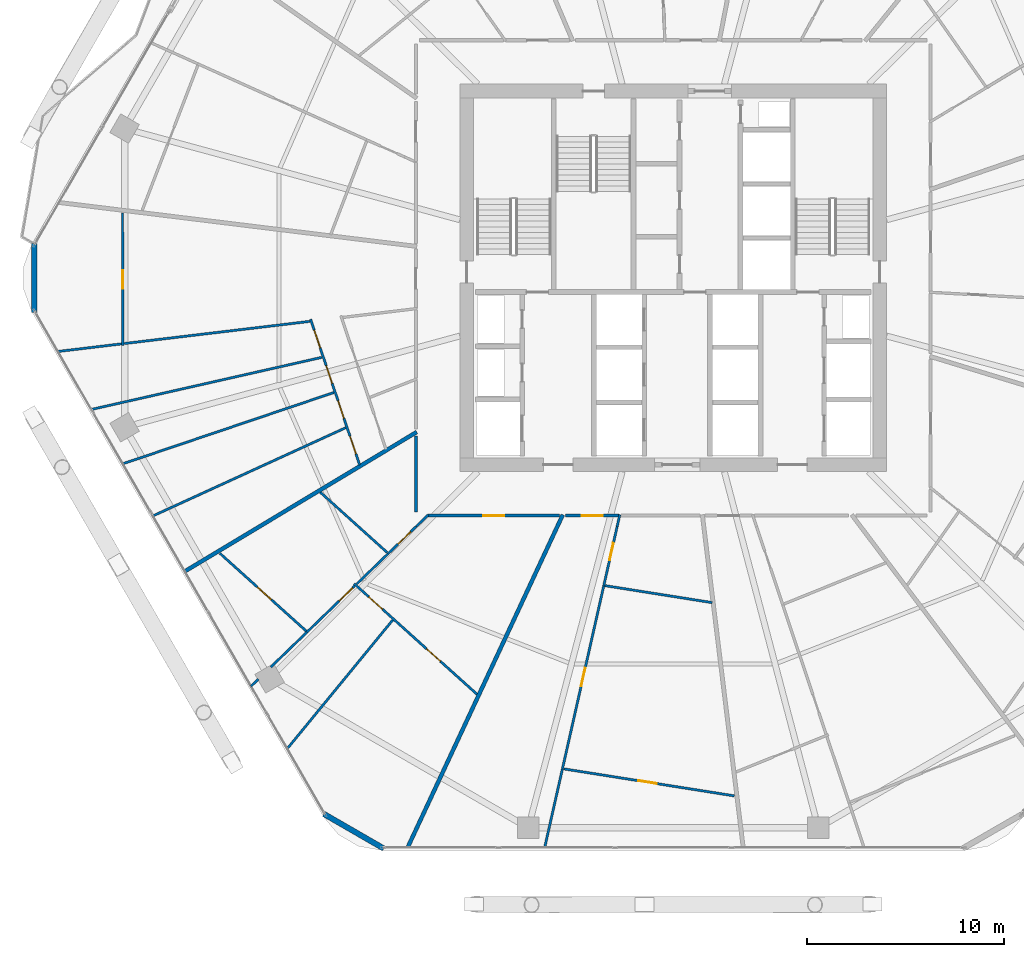
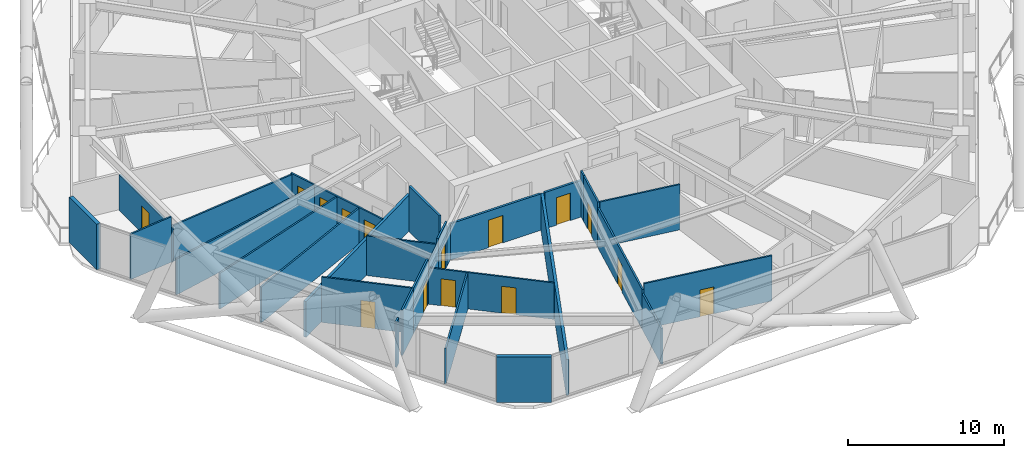
# One storey, part 29 of 36: 30 walls, 15 doors, 15 openings.
"""IFC4 building model written with IfcOpenShell, lengths in metres."""

from ifc_helpers import new_model, si_unit, direction, frame, frame_2d, origin, place, context, subcontext, project, spatial, rectangle, extrude, material, layer, layer_set, type_object, element, fill, save


model = new_model("IFC4")

# Units and contexts
model_context = context("Model", 3, precision=1e-05, world=origin(), true_north=direction((0.0, 1.0)))
body_context = subcontext(model_context, "Body", "Model", "MODEL_VIEW")
ifc_project = project(units=[si_unit("LENGTHUNIT", "METRE"), si_unit("AREAUNIT", "SQUARE_METRE"), si_unit("VOLUMEUNIT", "CUBIC_METRE"), si_unit("PLANEANGLEUNIT", "RADIAN"), si_unit("MASSUNIT", "GRAM", prefix="KILO")], contexts=[model_context])

# Site, building, storey
site_placement = place(None, origin())
site = spatial("IfcSite", under=ifc_project, at=site_placement, CompositionType="ELEMENT")
building_placement = place(site_placement, origin())
building = spatial("IfcBuilding", under=site, at=building_placement, Name="Zuhravey Tower", CompositionType="ELEMENT")
storey_placement = place(building_placement, frame((0.0, 0.0, 107.60009765625)))
storey = spatial("IfcBuildingStorey", under=building, at=storey_placement, Name="L26", CompositionType="ELEMENT", Elevation=107.60009765625)

# Wall, opening, door
ifc_material_1 = material(Name="Gypsum fire-rated stud partition")
ifc_layer_1 = layer(ifc_material_1, 0.159912109375)
ifc_layer_set_1 = layer_set([ifc_layer_1], Name="Gypsum fire-rated stud partition")
wall_type_1 = type_object("IfcWallType", Name="Corridor Fire Partition 160", PredefinedType="PARTITIONING", material=ifc_layer_set_1)
wall_1_placement = place(storey_placement, frame((23.537109375, 19.919921875, 0.0), z_axis=(0.0, 0.0, 1.0), x_axis=(1.0, 0.0, 0.0)))
wall_1 = element("IfcWall", 1, at=wall_1_placement, inside=storey, type_object=wall_type_1, Name="L26 IW16 Partition 052", PredefinedType="PARTITIONING", context=body_context, shape_type="SweptSolid", body=[
    extrude(rectangle(XDim=6.678955078125, YDim=0.159912109375, at=frame_2d((3.33935546875, 0.0))), origin(), (0.0, 0.0, 1.0), 2.849853515625),
])
opening_1_placement = place(wall_1_placement, frame((2.814453125, 0.0, 0.0)))
opening_1 = element("IfcOpeningElement", 2, at=opening_1_placement, cuts=wall_1, Name="Opening APD1", PredefinedType="OPENING", context=body_context, shape_type="SweptSolid", body=[
    extrude(rectangle(XDim=1.050048828125, YDim=2.14990234375, at=frame_2d((0.52490234375, 1.074951171875))), frame((0.0, 0.092041015625, 0.0), z_axis=(0.0, -1.0, 0.0), x_axis=(1.0, 0.0, 0.0)), (0.0, 0.0, 1.0), 0.183837890625),
])
ifc_material_2 = material(Name="Solid-core oak fire-rated leaf")
door_type_1 = type_object("IfcDoorType", Name="Apartment Entrance Fire Door 1050x2150", OperationType="NOTDEFINED", PredefinedType="DOOR", material=ifc_material_2)
door_1_placement = place(opening_1_placement, frame((1.050048828125, 0.0, 0.0), z_axis=(0.0, 0.0, 1.0), x_axis=(-1.0, 0.0, 0.0)))
door_1 = element("IfcDoor", 3, at=door_1_placement, inside=storey, type_object=door_type_1, Name="L26 Door 052.1", OperationType="SINGLE_SWING_RIGHT", OverallHeight=2.14990234375, OverallWidth=1.050048828125, PredefinedType="DOOR", context=body_context, shape_type="SweptSolid", body=[
    extrude(rectangle(XDim=1.050048828125, YDim=2.14990234375, at=frame_2d((0.52490234375, 1.074951171875))), frame((0.0, 0.02490234375, 0.0), z_axis=(0.0, -1.0, 0.0), x_axis=(1.0, 0.0, 0.0)), (0.0, 0.0, 1.0), 0.050048828125),
])
fill(opening_1, door_1)

wall_2_placement = place(storey_placement, frame((30.516845703125, 19.919921875, 0.0), z_axis=(0.0, 0.0, 1.0), x_axis=(1.0, 0.0, 0.0)))
wall_2 = element("IfcWall", 4, at=wall_2_placement, inside=storey, type_object=wall_type_1, Name="L26 IW16 Partition 056", PredefinedType="PARTITIONING", context=body_context, shape_type="SweptSolid", body=[
    extrude(rectangle(XDim=2.73583984375, YDim=0.159912109375, at=frame_2d((1.367919921875, 0.0))), origin(), (0.0, 0.0, 1.0), 2.849853515625),
])
opening_2_placement = place(wall_2_placement, frame((0.843017578125, 0.0, 0.0)))
opening_2 = element("IfcOpeningElement", 5, at=opening_2_placement, cuts=wall_2, Name="Opening APD1", PredefinedType="OPENING", context=body_context, shape_type="SweptSolid", body=[
    extrude(rectangle(XDim=1.050048828125, YDim=2.14990234375, at=frame_2d((0.52490234375, 1.074951171875))), frame((0.0, 0.092041015625, 0.0), z_axis=(0.0, -1.0, 0.0), x_axis=(1.0, 0.0, 0.0)), (0.0, 0.0, 1.0), 0.183837890625),
])
door_2_placement = place(opening_2_placement, frame((1.050048828125, 0.0, 0.0), z_axis=(0.0, 0.0, 1.0), x_axis=(-1.0, 0.0, 0.0)))
door_2 = element("IfcDoor", 6, at=door_2_placement, inside=storey, type_object=door_type_1, Name="L26 Door 056.1", OperationType="SINGLE_SWING_RIGHT", OverallHeight=2.14990234375, OverallWidth=1.050048828125, PredefinedType="DOOR", context=body_context, shape_type="SweptSolid", body=[
    extrude(rectangle(XDim=1.050048828125, YDim=2.14990234375, at=frame_2d((0.52490234375, 1.074951171875))), frame((0.0, 0.02490234375, 0.0), z_axis=(0.0, -1.0, 0.0), x_axis=(1.0, 0.0, 0.0)), (0.0, 0.0, 1.0), 0.050048828125),
])
fill(opening_2, door_2)

# Walls
wall_3_placement = place(storey_placement, frame((22.919921875, 23.961181640625, 0.0), z_axis=(0.0, 0.0, 1.0), x_axis=(0.0, -1.0, 0.0)))
element("IfcWall", 7, at=wall_3_placement, inside=storey, type_object=wall_type_1, Name="L26 IW16 Partition 146", PredefinedType="PARTITIONING", context=body_context, shape_type="SweptSolid", body=[
    extrude(rectangle(XDim=3.861083984375, YDim=0.159912109375, at=frame_2d((1.9306640625, 0.0))), origin(), (0.0, 0.0, 1.0), 3.5498046875),
])
ifc_material_3 = material(Name="Precast concrete C40/50", Category="concrete")
ifc_layer_2 = layer(ifc_material_3, 0.280029296875)
ifc_layer_set_2 = layer_set([ifc_layer_2], Name="Precast concrete C40/50")
wall_type_2 = type_object("IfcWallType", Name="Crown Architectural Wall 280", PredefinedType="SOLIDWALL", material=ifc_layer_set_2)
wall_4_placement = place(storey_placement, frame((21.28271484375, 2.993896484375, 0.0), z_axis=(0.0, 0.0, 1.0), x_axis=(-0.866007452331, 0.500031091541, 0.0)))
element("IfcWall", 8, at=wall_4_placement, inside=storey, type_object=wall_type_2, Name="L26 Rounded Corner Closure Wall EW28-04", PredefinedType="SOLIDWALL", context=body_context, shape_type="SweptSolid", body=[
    extrude(rectangle(XDim=3.514892578125, YDim=0.280029296875, at=frame_2d((1.75732421875, 0.0))), origin(), (0.0, 0.0, 1.0), 3.5498046875),
])
wall_5_placement = place(storey_placement, frame((3.521484375, 30.242431640625, 0.0), z_axis=(0.0, 0.0, 1.0), x_axis=(0.0, 1.0, 0.0)))
element("IfcWall", 9, at=wall_5_placement, inside=storey, type_object=wall_type_2, Name="L26 Rounded Corner Closure Wall EW28-06", PredefinedType="SOLIDWALL", context=body_context, shape_type="SweptSolid", body=[
    extrude(rectangle(XDim=3.51513671875, YDim=0.280029296875, at=frame_2d((1.757568359375, 0.0))), origin(), (0.0, 0.0, 1.0), 3.5498046875),
])
ifc_material_4 = material(Name="Gypsum double-stud party assembly")
ifc_layer_3 = layer(ifc_material_4, 0.199951171875)
ifc_layer_set_3 = layer_set([ifc_layer_3], Name="Gypsum double-stud party assembly")
wall_type_3 = type_object("IfcWallType", Name="Inter-Tenancy Party Wall 200", PredefinedType="PARTITIONING", material=ifc_layer_set_3)
wall_6_placement = place(storey_placement, frame((22.9599609375, 24.164794921875, 0.0), z_axis=(0.0, 0.0, 1.0), x_axis=(-0.857163744899, -0.515043992714, 0.0)))
element("IfcWall", 10, at=wall_6_placement, inside=storey, type_object=wall_type_3, Name="L26 IW20 Partition 113", PredefinedType="PARTITIONING", context=body_context, shape_type="SweptSolid", body=[
    extrude(rectangle(XDim=13.749755859375, YDim=0.199951171875, at=frame_2d((6.875, 0.0))), origin(), (0.0, 0.0, 1.0), 2.7998046875),
])
wall_7_placement = place(storey_placement, frame((30.3857421875, 19.9599609375, 0.0), z_axis=(0.0, 0.0, 1.0), x_axis=(-0.422626983595, -0.906303719918, 0.0)))
element("IfcWall", 11, at=wall_7_placement, inside=storey, type_object=wall_type_3, Name="L26 IW20 Partition 119", PredefinedType="PARTITIONING", context=body_context, shape_type="SweptSolid", body=[
    extrude(rectangle(XDim=18.66748046875, YDim=0.199951171875, at=frame_2d((9.333740234375, 0.0))), origin(), (0.0, 0.0, 1.0), 2.7998046875),
])

# Wall, opening, door
ifc_material_5 = material(Name="Gypsum metal-stud partition")
ifc_layer_4 = layer(ifc_material_5, 0.1201171875)
ifc_layer_set_4 = layer_set([ifc_layer_4], Name="Gypsum metal-stud partition")
wall_type_4 = type_object("IfcWallType", Name="Unit Internal Partition 120", PredefinedType="PARTITIONING", material=ifc_layer_set_4)
wall_8_placement = place(storey_placement, frame((8.003662109375, 35.290283203125, 0.0), z_axis=(0.0, 0.0, 1.0), x_axis=(0.00282658773, -0.999996005193, 0.0)))
wall_8 = element("IfcWall", 12, at=wall_8_placement, inside=storey, type_object=wall_type_4, Name="L26 IW12 Partition 043", PredefinedType="PARTITIONING", context=body_context, shape_type="SweptSolid", body=[
    extrude(rectangle(XDim=6.737060546875, YDim=0.1201171875, at=frame_2d((3.36865234375, 0.0))), origin(), (0.0, 0.0, 1.0), 2.7998046875),
])
opening_3_placement = place(wall_8_placement, frame((2.8935546875, 0.0, 0.0)))
opening_3 = element("IfcOpeningElement", 13, at=opening_3_placement, cuts=wall_8, Name="Opening IND1", PredefinedType="OPENING", context=body_context, shape_type="SweptSolid", body=[
    extrude(rectangle(XDim=0.949951171875, YDim=2.10009765625, at=frame_2d((0.47509765625, 1.050048828125))), frame((0.0, 0.072021484375, 0.0), z_axis=(0.0, -1.0, 0.0), x_axis=(1.0, 0.0, 0.0)), (0.0, 0.0, 1.0), 0.14404296875),
])
ifc_material_6 = material(Name="Painted engineered timber leaf", Category="wood")
door_type_2 = type_object("IfcDoorType", Name="Internal Room & Bedroom Door 950x2100", OperationType="NOTDEFINED", PredefinedType="DOOR", material=ifc_material_6)
door_3_placement = place(opening_3_placement, frame((0.949951171875, 0.0, 0.0), z_axis=(0.0, 0.0, 1.0), x_axis=(-1.0, 0.0, 0.0)))
door_3 = element("IfcDoor", 14, at=door_3_placement, inside=storey, type_object=door_type_2, Name="Apartment L26-06 Family Study Door", OperationType="SINGLE_SWING_LEFT", OverallHeight=2.10009765625, OverallWidth=0.949951171875, PredefinedType="DOOR", context=body_context, shape_type="SweptSolid", body=[
    extrude(rectangle(XDim=0.949951171875, YDim=2.10009765625, at=frame_2d((0.47509765625, 1.050048828125))), frame((0.0, 0.02490234375, 0.0), z_axis=(0.0, -1.0, 0.0), x_axis=(1.0, 0.0, 0.0)), (0.0, 0.0, 1.0), 0.050048828125),
])
fill(opening_3, door_3)

# Wall, openings, doors
wall_9_placement = place(storey_placement, frame((17.560791015625, 29.8955078125, 0.0), z_axis=(0.0, 0.0, 1.0), x_axis=(0.319947688878, -0.947435209596, 0.0)))
wall_9 = element("IfcWall", 15, at=wall_9_placement, inside=storey, type_object=wall_type_4, Name="L26 IW12 Partition 045", PredefinedType="PARTITIONING", context=body_context, shape_type="SweptSolid", body=[
    extrude(rectangle(XDim=7.8115234375, YDim=0.1201171875, at=frame_2d((3.90576171875, 0.0))), origin(), (0.0, 0.0, 1.0), 2.849853515625),
])
opening_4_placement = place(wall_9_placement, frame((0.587158203125, 0.0, 0.0)))
opening_4 = element("IfcOpeningElement", 16, at=opening_4_placement, cuts=wall_9, Name="Opening IND1", PredefinedType="OPENING", context=body_context, shape_type="SweptSolid", body=[
    extrude(rectangle(XDim=0.949951171875, YDim=2.10009765625, at=frame_2d((0.47509765625, 1.050048828125))), frame((0.0, 0.072021484375, 0.0), z_axis=(0.0, -1.0, 0.0), x_axis=(1.0, 0.0, 0.0)), (0.0, 0.0, 1.0), 0.14404296875),
])
opening_5_placement = place(wall_9_placement, frame((2.48974609375, 0.0, 0.0)))
opening_5 = element("IfcOpeningElement", 17, at=opening_5_placement, cuts=wall_9, Name="Opening IND1", PredefinedType="OPENING", context=body_context, shape_type="SweptSolid", body=[
    extrude(rectangle(XDim=0.949951171875, YDim=2.10009765625, at=frame_2d((0.47509765625, 1.050048828125))), frame((0.0, 0.072021484375, 0.0), z_axis=(0.0, -1.0, 0.0), x_axis=(1.0, 0.0, 0.0)), (0.0, 0.0, 1.0), 0.14404296875),
])
opening_6_placement = place(wall_9_placement, frame((4.37158203125, 0.0, 0.0)))
opening_6 = element("IfcOpeningElement", 18, at=opening_6_placement, cuts=wall_9, Name="Opening IND1", PredefinedType="OPENING", context=body_context, shape_type="SweptSolid", body=[
    extrude(rectangle(XDim=0.949951171875, YDim=2.10009765625, at=frame_2d((0.47509765625, 1.050048828125))), frame((0.0, 0.072021484375, 0.0), z_axis=(0.0, -1.0, 0.0), x_axis=(1.0, 0.0, 0.0)), (0.0, 0.0, 1.0), 0.14404296875),
])
opening_7_placement = place(wall_9_placement, frame((6.274169921875, 0.0, 0.0)))
opening_7 = element("IfcOpeningElement", 19, at=opening_7_placement, cuts=wall_9, Name="Opening IND1", PredefinedType="OPENING", context=body_context, shape_type="SweptSolid", body=[
    extrude(rectangle(XDim=0.949951171875, YDim=2.10009765625, at=frame_2d((0.47509765625, 1.050048828125))), frame((0.0, 0.072021484375, 0.0), z_axis=(0.0, -1.0, 0.0), x_axis=(1.0, 0.0, 0.0)), (0.0, 0.0, 1.0), 0.14404296875),
])
door_4_placement = place(opening_4_placement, frame((0.949951171875, 0.0, 0.0), z_axis=(0.0, 0.0, 1.0), x_axis=(-1.0, 0.0, 0.0)))
door_4 = element("IfcDoor", 20, at=door_4_placement, inside=storey, type_object=door_type_2, Name="Apartment L26-06 Bedroom 1 Door", OperationType="SINGLE_SWING_RIGHT", OverallHeight=2.10009765625, OverallWidth=0.949951171875, PredefinedType="DOOR", context=body_context, shape_type="SweptSolid", body=[
    extrude(rectangle(XDim=0.949951171875, YDim=2.10009765625, at=frame_2d((0.47509765625, 1.050048828125))), frame((0.0, 0.02490234375, 0.0), z_axis=(0.0, -1.0, 0.0), x_axis=(1.0, 0.0, 0.0)), (0.0, 0.0, 1.0), 0.050048828125),
])
fill(opening_4, door_4)
door_5_placement = place(opening_5_placement, frame((0.949951171875, 0.0, 0.0), z_axis=(0.0, 0.0, 1.0), x_axis=(-1.0, 0.0, 0.0)))
door_5 = element("IfcDoor", 21, at=door_5_placement, inside=storey, type_object=door_type_2, Name="Apartment L26-06 Bedroom 2 Door", OperationType="SINGLE_SWING_LEFT", OverallHeight=2.10009765625, OverallWidth=0.949951171875, PredefinedType="DOOR", context=body_context, shape_type="SweptSolid", body=[
    extrude(rectangle(XDim=0.949951171875, YDim=2.10009765625, at=frame_2d((0.47509765625, 1.050048828125))), frame((0.0, 0.02490234375, 0.0), z_axis=(0.0, -1.0, 0.0), x_axis=(1.0, 0.0, 0.0)), (0.0, 0.0, 1.0), 0.050048828125),
])
fill(opening_5, door_5)
door_6_placement = place(opening_6_placement, frame((0.949951171875, 0.0, 0.0), z_axis=(0.0, 0.0, 1.0), x_axis=(-1.0, 0.0, 0.0)))
door_6 = element("IfcDoor", 22, at=door_6_placement, inside=storey, type_object=door_type_2, Name="Apartment L26-06 Bedroom 3 Door", OperationType="SINGLE_SWING_RIGHT", OverallHeight=2.10009765625, OverallWidth=0.949951171875, PredefinedType="DOOR", context=body_context, shape_type="SweptSolid", body=[
    extrude(rectangle(XDim=0.949951171875, YDim=2.10009765625, at=frame_2d((0.47509765625, 1.050048828125))), frame((0.0, 0.02490234375, 0.0), z_axis=(0.0, -1.0, 0.0), x_axis=(1.0, 0.0, 0.0)), (0.0, 0.0, 1.0), 0.050048828125),
])
fill(opening_6, door_6)
door_7_placement = place(opening_7_placement, frame((0.949951171875, 0.0, 0.0), z_axis=(0.0, 0.0, 1.0), x_axis=(-1.0, 0.0, 0.0)))
door_7 = element("IfcDoor", 23, at=door_7_placement, inside=storey, type_object=door_type_2, Name="Apartment L26-06 Bedroom 4 Door", OperationType="SINGLE_SWING_LEFT", OverallHeight=2.10009765625, OverallWidth=0.949951171875, PredefinedType="DOOR", context=body_context, shape_type="SweptSolid", body=[
    extrude(rectangle(XDim=0.949951171875, YDim=2.10009765625, at=frame_2d((0.47509765625, 1.050048828125))), frame((0.0, 0.02490234375, 0.0), z_axis=(0.0, -1.0, 0.0), x_axis=(1.0, 0.0, 0.0)), (0.0, 0.0, 1.0), 0.050048828125),
])
fill(opening_7, door_7)

wall_10_placement = place(storey_placement, frame((19.781494140625, 16.455078125, 0.0), z_axis=(0.0, 0.0, 1.0), x_axis=(0.743143681273, -0.669131877125, 0.0)))
wall_10 = element("IfcWall", 24, at=wall_10_placement, inside=storey, type_object=wall_type_4, Name="L26 IW12 Partition 047", PredefinedType="PARTITIONING", context=body_context, shape_type="SweptSolid", body=[
    extrude(rectangle(XDim=8.391845703125, YDim=0.1201171875, at=frame_2d((4.19580078125, 0.0))), origin(), (0.0, 0.0, 1.0), 2.849853515625),
])
opening_8_placement = place(wall_10_placement, frame((0.9892578125, 0.0, 0.0)))
opening_8 = element("IfcOpeningElement", 25, at=opening_8_placement, cuts=wall_10, Name="Opening IND1", PredefinedType="OPENING", context=body_context, shape_type="SweptSolid", body=[
    extrude(rectangle(XDim=0.949951171875, YDim=2.10009765625, at=frame_2d((0.47509765625, 1.050048828125))), frame((0.0, 0.072021484375, 0.0), z_axis=(0.0, -1.0, 0.0), x_axis=(1.0, 0.0, 0.0)), (0.0, 0.0, 1.0), 0.14404296875),
])
opening_9_placement = place(wall_10_placement, frame((4.9453125, 0.0, 0.0)))
opening_9 = element("IfcOpeningElement", 26, at=opening_9_placement, cuts=wall_10, Name="Opening IND1", PredefinedType="OPENING", context=body_context, shape_type="SweptSolid", body=[
    extrude(rectangle(XDim=0.949951171875, YDim=2.10009765625, at=frame_2d((0.47509765625, 1.050048828125))), frame((0.0, 0.072021484375, 0.0), z_axis=(0.0, -1.0, 0.0), x_axis=(1.0, 0.0, 0.0)), (0.0, 0.0, 1.0), 0.14404296875),
])
door_8_placement = place(opening_8_placement, frame((0.949951171875, 0.0, 0.0), z_axis=(0.0, 0.0, 1.0), x_axis=(-1.0, 0.0, 0.0)))
door_8 = element("IfcDoor", 27, at=door_8_placement, inside=storey, type_object=door_type_2, Name="Apartment L26-07 Family Study Door", OperationType="SINGLE_SWING_LEFT", OverallHeight=2.10009765625, OverallWidth=0.949951171875, PredefinedType="DOOR", context=body_context, shape_type="SweptSolid", body=[
    extrude(rectangle(XDim=0.949951171875, YDim=2.10009765625, at=frame_2d((0.47509765625, 1.050048828125))), frame((0.0, 0.02490234375, 0.0), z_axis=(0.0, -1.0, 0.0), x_axis=(1.0, 0.0, 0.0)), (0.0, 0.0, 1.0), 0.050048828125),
])
fill(opening_8, door_8)
door_9_placement = place(opening_9_placement, frame((0.949951171875, 0.0, 0.0), z_axis=(0.0, 0.0, 1.0), x_axis=(-1.0, 0.0, 0.0)))
door_9 = element("IfcDoor", 28, at=door_9_placement, inside=storey, type_object=door_type_2, Name="Apartment L26-07 Dining Room Door", OperationType="SINGLE_SWING_RIGHT", OverallHeight=2.10009765625, OverallWidth=0.949951171875, PredefinedType="DOOR", context=body_context, shape_type="SweptSolid", body=[
    extrude(rectangle(XDim=0.949951171875, YDim=2.10009765625, at=frame_2d((0.47509765625, 1.050048828125))), frame((0.0, 0.02490234375, 0.0), z_axis=(0.0, -1.0, 0.0), x_axis=(1.0, 0.0, 0.0)), (0.0, 0.0, 1.0), 0.050048828125),
])
fill(opening_9, door_9)

# Wall, opening, door
wall_11_placement = place(storey_placement, frame((22.937744140625, 19.368408203125, 0.0), z_axis=(0.0, 0.0, 1.0), x_axis=(-0.718812006411, -0.695204501884, 0.0)))
wall_11 = element("IfcWall", 29, at=wall_11_placement, inside=storey, type_object=wall_type_4, Name="L26 IW12 Partition 048", PredefinedType="PARTITIONING", context=body_context, shape_type="SweptSolid", body=[
    extrude(rectangle(XDim=2.00634765625, YDim=0.1201171875, at=frame_2d((1.003173828125, 0.0))), origin(), (0.0, 0.0, 1.0), 3.5498046875),
])
opening_10_placement = place(wall_11_placement, frame((0.392578125, 0.0, 0.0)))
opening_10 = element("IfcOpeningElement", 30, at=opening_10_placement, cuts=wall_11, Name="Opening WCD1", PredefinedType="OPENING", context=body_context, shape_type="SweptSolid", body=[
    extrude(rectangle(XDim=0.89990234375, YDim=2.10009765625, at=frame_2d((0.449951171875, 1.050048828125))), frame((0.0, 0.072021484375, 0.0), z_axis=(0.0, -1.0, 0.0), x_axis=(1.0, 0.0, 0.0)), (0.0, 0.0, 1.0), 0.14404296875),
])
ifc_material_7 = material(Name="Moisture-resistant timber leaf", Category="wood")
door_type_3 = type_object("IfcDoorType", Name="Bathroom & WC Internal Door 900x2100", OperationType="NOTDEFINED", PredefinedType="DOOR", material=ifc_material_7)
door_10_placement = place(opening_10_placement, frame((0.89990234375, 0.0, 0.0), z_axis=(0.0, 0.0, 1.0), x_axis=(-1.0, 0.0, 0.0)))
door_10 = element("IfcDoor", 31, at=door_10_placement, inside=storey, type_object=door_type_3, Name="Apartment L26-07 Bathroom Door", OperationType="SINGLE_SWING_LEFT", OverallHeight=2.10009765625, OverallWidth=0.89990234375, PredefinedType="DOOR", context=body_context, shape_type="SweptSolid", body=[
    extrude(rectangle(XDim=0.89990234375, YDim=2.10009765625, at=frame_2d((0.449951171875, 1.050048828125))), frame((0.0, 0.02490234375, 0.0), z_axis=(0.0, -1.0, 0.0), x_axis=(1.0, 0.0, 0.0)), (0.0, 0.0, 1.0), 0.050048828125),
])
fill(opening_10, door_10)

# Wall
wall_12_placement = place(storey_placement, frame((21.49560546875, 17.9736328125, 0.0), z_axis=(0.0, 0.0, 1.0), x_axis=(-0.718868898455, -0.695145673103, 0.0)))
element("IfcWall", 32, at=wall_12_placement, inside=storey, type_object=wall_type_4, Name="L26 IW12 Partition 049", PredefinedType="PARTITIONING", context=body_context, shape_type="SweptSolid", body=[
    extrude(rectangle(XDim=2.212646484375, YDim=0.1201171875, at=frame_2d((1.1064453125, 0.0))), origin(), (0.0, 0.0, 1.0), 3.099853515625),
])

# Wall, opening, door
wall_13_placement = place(storey_placement, frame((19.806884765625, 16.3408203125, 0.0), z_axis=(0.0, 0.0, 1.0), x_axis=(-0.718831046799, -0.69518481439, 0.0)))
wall_13 = element("IfcWall", 33, at=wall_13_placement, inside=storey, type_object=wall_type_4, Name="L26 IW12 Partition 050", PredefinedType="PARTITIONING", context=body_context, shape_type="SweptSolid", body=[
    extrude(rectangle(XDim=3.386474609375, YDim=0.1201171875, at=frame_2d((1.693359375, 0.0))), origin(), (0.0, 0.0, 1.0), 3.5498046875),
])
opening_11_placement = place(wall_13_placement, frame((0.139892578125, 0.0, 0.0)))
opening_11 = element("IfcOpeningElement", 34, at=opening_11_placement, cuts=wall_13, Name="Opening IND1", PredefinedType="OPENING", context=body_context, shape_type="SweptSolid", body=[
    extrude(rectangle(XDim=0.949951171875, YDim=2.10009765625, at=frame_2d((0.47509765625, 1.050048828125))), frame((0.0, 0.072021484375, 0.0), z_axis=(0.0, -1.0, 0.0), x_axis=(1.0, 0.0, 0.0)), (0.0, 0.0, 1.0), 0.14404296875),
])
door_11_placement = place(opening_11_placement, frame((0.949951171875, 0.0, 0.0), z_axis=(0.0, 0.0, 1.0), x_axis=(-1.0, 0.0, 0.0)))
door_11 = element("IfcDoor", 35, at=door_11_placement, inside=storey, type_object=door_type_2, Name="Apartment L26-07 Home Office Door", OperationType="SINGLE_SWING_RIGHT", OverallHeight=2.10009765625, OverallWidth=0.949951171875, PredefinedType="DOOR", context=body_context, shape_type="SweptSolid", body=[
    extrude(rectangle(XDim=0.949951171875, YDim=2.10009765625, at=frame_2d((0.47509765625, 1.050048828125))), frame((0.0, 0.02490234375, 0.0), z_axis=(0.0, -1.0, 0.0), x_axis=(1.0, 0.0, 0.0)), (0.0, 0.0, 1.0), 0.050048828125),
])
fill(opening_11, door_11)

wall_14_placement = place(storey_placement, frame((12.95654296875, 17.99609375, 0.0), z_axis=(0.0, 0.0, 1.0), x_axis=(0.743162407379, -0.669111079163, 0.0)))
wall_14 = element("IfcWall", 36, at=wall_14_placement, inside=storey, type_object=wall_type_4, Name="L26 IW12 Partition 051", PredefinedType="PARTITIONING", context=body_context, shape_type="SweptSolid", body=[
    extrude(rectangle(XDim=5.898193359375, YDim=0.1201171875, at=frame_2d((2.94921875, 0.0))), origin(), (0.0, 0.0, 1.0), 3.5498046875),
])
opening_12_placement = place(wall_14_placement, frame((2.558349609375, 0.0, 0.0)))
opening_12 = element("IfcOpeningElement", 37, at=opening_12_placement, cuts=wall_14, Name="Opening IND1", PredefinedType="OPENING", context=body_context, shape_type="SweptSolid", body=[
    extrude(rectangle(XDim=0.949951171875, YDim=2.10009765625, at=frame_2d((0.47509765625, 1.050048828125))), frame((0.0, 0.072021484375, 0.0), z_axis=(0.0, -1.0, 0.0), x_axis=(1.0, 0.0, 0.0)), (0.0, 0.0, 1.0), 0.14404296875),
])
door_12_placement = place(opening_12_placement, frame((0.949951171875, 0.0, 0.0), z_axis=(0.0, 0.0, 1.0), x_axis=(-1.0, 0.0, 0.0)))
door_12 = element("IfcDoor", 38, at=door_12_placement, inside=storey, type_object=door_type_2, Name="Apartment L26-07 Bedroom 1 Door", OperationType="SINGLE_SWING_LEFT", OverallHeight=2.10009765625, OverallWidth=0.949951171875, PredefinedType="DOOR", context=body_context, shape_type="SweptSolid", body=[
    extrude(rectangle(XDim=0.949951171875, YDim=2.10009765625, at=frame_2d((0.47509765625, 1.050048828125))), frame((0.0, 0.02490234375, 0.0), z_axis=(0.0, -1.0, 0.0), x_axis=(1.0, 0.0, 0.0)), (0.0, 0.0, 1.0), 0.050048828125),
])
fill(opening_12, door_12)

wall_15_placement = place(storey_placement, frame((33.14453125, 19.35009765625, 0.0), z_axis=(0.0, 0.0, 1.0), x_axis=(-0.220163710026, -0.975462936655, 0.0)))
wall_15 = element("IfcWall", 39, at=wall_15_placement, inside=storey, type_object=wall_type_4, Name="L26 IW12 Partition 053", PredefinedType="PARTITIONING", context=body_context, shape_type="SweptSolid", body=[
    extrude(rectangle(XDim=3.0849609375, YDim=0.1201171875, at=frame_2d((1.54248046875, 0.0))), origin(), (0.0, 0.0, 1.0), 3.5498046875),
])
opening_13_placement = place(wall_15_placement, frame((0.845703125, 0.0, 0.0)))
opening_13 = element("IfcOpeningElement", 40, at=opening_13_placement, cuts=wall_15, Name="Opening WCD1", PredefinedType="OPENING", context=body_context, shape_type="SweptSolid", body=[
    extrude(rectangle(XDim=0.89990234375, YDim=2.10009765625, at=frame_2d((0.449951171875, 1.050048828125))), frame((0.0, 0.072021484375, 0.0), z_axis=(0.0, -1.0, 0.0), x_axis=(1.0, 0.0, 0.0)), (0.0, 0.0, 1.0), 0.14404296875),
])
door_13_placement = place(opening_13_placement, origin())
door_13 = element("IfcDoor", 41, at=door_13_placement, inside=storey, type_object=door_type_3, Name="Apartment L26-08 Bathroom Door", OperationType="SINGLE_SWING_LEFT", OverallHeight=2.10009765625, OverallWidth=0.89990234375, PredefinedType="DOOR", context=body_context, shape_type="SweptSolid", body=[
    extrude(rectangle(XDim=0.89990234375, YDim=2.10009765625, at=frame_2d((0.449951171875, 1.050048828125))), frame((0.0, 0.02490234375, 0.0), z_axis=(0.0, -1.0, 0.0), x_axis=(1.0, 0.0, 0.0)), (0.0, 0.0, 1.0), 0.050048828125),
])
fill(opening_13, door_13)

wall_16_placement = place(storey_placement, frame((32.46533203125, 16.3408203125, 0.0), z_axis=(0.0, 0.0, 1.0), x_axis=(-0.220183949045, -0.975458368452, 0.0)))
wall_16 = element("IfcWall", 42, at=wall_16_placement, inside=storey, type_object=wall_type_4, Name="L26 IW12 Partition 054", PredefinedType="PARTITIONING", context=body_context, shape_type="SweptSolid", body=[
    extrude(rectangle(XDim=9.546875, YDim=0.1201171875, at=frame_2d((4.7734375, 0.0))), origin(), (0.0, 0.0, 1.0), 3.099853515625),
])
opening_14_placement = place(wall_16_placement, frame((4.2734375, 0.0, 0.0)))
opening_14 = element("IfcOpeningElement", 43, at=opening_14_placement, cuts=wall_16, Name="Opening IND1", PredefinedType="OPENING", context=body_context, shape_type="SweptSolid", body=[
    extrude(rectangle(XDim=0.949951171875, YDim=2.10009765625, at=frame_2d((0.47509765625, 1.050048828125))), frame((0.0, 0.072021484375, 0.0), z_axis=(0.0, -1.0, 0.0), x_axis=(1.0, 0.0, 0.0)), (0.0, 0.0, 1.0), 0.14404296875),
])
door_14_placement = place(opening_14_placement, origin())
door_14 = element("IfcDoor", 44, at=door_14_placement, inside=storey, type_object=door_type_2, Name="Apartment L26-08 Home Office Door", OperationType="SINGLE_SWING_RIGHT", OverallHeight=2.10009765625, OverallWidth=0.949951171875, PredefinedType="DOOR", context=body_context, shape_type="SweptSolid", body=[
    extrude(rectangle(XDim=0.949951171875, YDim=2.10009765625, at=frame_2d((0.47509765625, 1.050048828125))), frame((0.0, 0.02490234375, 0.0), z_axis=(0.0, -1.0, 0.0), x_axis=(1.0, 0.0, 0.0)), (0.0, 0.0, 1.0), 0.050048828125),
])
fill(opening_14, door_14)

wall_17_placement = place(storey_placement, frame((30.43603515625, 7.0419921875, 0.0), z_axis=(0.0, 0.0, 1.0), x_axis=(0.987688614877, -0.156432733283, 0.0)))
wall_17 = element("IfcWall", 45, at=wall_17_placement, inside=storey, type_object=wall_type_4, Name="L26 IW12 Partition 055", PredefinedType="PARTITIONING", context=body_context, shape_type="SweptSolid", body=[
    extrude(rectangle(XDim=8.7724609375, YDim=0.1201171875, at=frame_2d((4.38623046875, 0.0))), origin(), (0.0, 0.0, 1.0), 3.5498046875),
])
opening_15_placement = place(wall_17_placement, frame((3.8271484375, 0.0, 0.0)))
opening_15 = element("IfcOpeningElement", 46, at=opening_15_placement, cuts=wall_17, Name="Opening IND1", PredefinedType="OPENING", context=body_context, shape_type="SweptSolid", body=[
    extrude(rectangle(XDim=0.949951171875, YDim=2.10009765625, at=frame_2d((0.47509765625, 1.050048828125))), frame((0.0, 0.072021484375, 0.0), z_axis=(0.0, -1.0, 0.0), x_axis=(1.0, 0.0, 0.0)), (0.0, 0.0, 1.0), 0.14404296875),
])
door_15_placement = place(opening_15_placement, frame((0.949951171875, 0.0, 0.0), z_axis=(0.0, 0.0, 1.0), x_axis=(-1.0, 0.0, 0.0)))
door_15 = element("IfcDoor", 47, at=door_15_placement, inside=storey, type_object=door_type_2, Name="Apartment L26-08 Bedroom 1 Door", OperationType="SINGLE_SWING_LEFT", OverallHeight=2.10009765625, OverallWidth=0.949951171875, PredefinedType="DOOR", context=body_context, shape_type="SweptSolid", body=[
    extrude(rectangle(XDim=0.949951171875, YDim=2.10009765625, at=frame_2d((0.47509765625, 1.050048828125))), frame((0.0, 0.02490234375, 0.0), z_axis=(0.0, -1.0, 0.0), x_axis=(1.0, 0.0, 0.0)), (0.0, 0.0, 1.0), 0.050048828125),
])
fill(opening_15, door_15)

# Walls
wall_18_placement = place(storey_placement, frame((18.141845703125, 27.96240234375, 0.0), z_axis=(0.0, 0.0, 1.0), x_axis=(-0.975378348773, -0.220538152583, 0.0)))
element("IfcWall", 48, at=wall_18_placement, inside=storey, type_object=wall_type_4, Name="L26 IW12 Partition 107", PredefinedType="PARTITIONING", context=body_context, shape_type="SweptSolid", body=[
    extrude(rectangle(XDim=12.025634765625, YDim=0.1201171875, at=frame_2d((6.0126953125, 0.0))), origin(), (0.0, 0.0, 1.0), 2.7998046875),
])
wall_19_placement = place(storey_placement, frame((18.74609375, 26.17333984375, 0.0), z_axis=(0.0, 0.0, 1.0), x_axis=(-0.947430912787, -0.319960412389, 0.0)))
element("IfcWall", 49, at=wall_19_placement, inside=storey, type_object=wall_type_4, Name="L26 IW12 Partition 108", PredefinedType="PARTITIONING", context=body_context, shape_type="SweptSolid", body=[
    extrude(rectangle(XDim=11.333984375, YDim=0.1201171875, at=frame_2d((5.6669921875, 0.0))), origin(), (0.0, 0.0, 1.0), 2.7998046875),
])
wall_20_placement = place(storey_placement, frame((19.35009765625, 24.38427734375, 0.0), z_axis=(0.0, 0.0, 1.0), x_axis=(-0.909372754927, -0.415982202259, 0.0)))
element("IfcWall", 50, at=wall_20_placement, inside=storey, type_object=wall_type_4, Name="L26 IW12 Partition 109", PredefinedType="PARTITIONING", context=body_context, shape_type="SweptSolid", body=[
    extrude(rectangle(XDim=10.78955078125, YDim=0.1201171875, at=frame_2d((5.394775390625, 0.0))), origin(), (0.0, 0.0, 1.0), 2.7998046875),
])
wall_21_placement = place(storey_placement, frame((17.524658203125, 29.790283203125, 0.0), z_axis=(0.0, 0.0, 1.0), x_axis=(-0.992925874221, -0.11873587622, 0.0)))
element("IfcWall", 51, at=wall_21_placement, inside=storey, type_object=wall_type_4, Name="L26 IW12 Partition 111", PredefinedType="PARTITIONING", context=body_context, shape_type="SweptSolid", body=[
    extrude(rectangle(XDim=9.50146484375, YDim=0.1201171875, at=frame_2d((4.750732421875, 0.0))), origin(), (0.0, 0.0, 1.0), 2.7998046875),
])
wall_22_placement = place(storey_placement, frame((7.954345703125, 28.645751953125, 0.0), z_axis=(0.0, 0.0, 1.0), x_axis=(-0.992930883054, -0.11869398248, 0.0)))
element("IfcWall", 52, at=wall_22_placement, inside=storey, type_object=wall_type_4, Name="L26 IW12 Partition 112", PredefinedType="PARTITIONING", context=body_context, shape_type="SweptSolid", body=[
    extrude(rectangle(XDim=3.264404296875, YDim=0.1201171875, at=frame_2d((1.63232421875, 0.0))), origin(), (0.0, 0.0, 1.0), 3.5498046875),
])
wall_23_placement = place(storey_placement, frame((21.736083984375, 14.603759765625, 0.0), z_axis=(0.0, 0.0, 1.0), x_axis=(-0.634046199825, -0.773295167765, 0.0)))
element("IfcWall", 53, at=wall_23_placement, inside=storey, type_object=wall_type_4, Name="L26 IW12 Partition 114", PredefinedType="PARTITIONING", context=body_context, shape_type="SweptSolid", body=[
    extrude(rectangle(XDim=8.482421875, YDim=0.1201171875, at=frame_2d((4.2412109375, 0.0))), origin(), (0.0, 0.0, 1.0), 2.7998046875),
])
wall_24_placement = place(storey_placement, frame((23.537109375, 19.94775390625, 0.0), z_axis=(0.0, 0.0, 1.0), x_axis=(-0.719012767995, -0.694996862914, 0.0)))
element("IfcWall", 54, at=wall_24_placement, inside=storey, type_object=wall_type_4, Name="L26 IW12 Partition 115", PredefinedType="PARTITIONING", context=body_context, shape_type="SweptSolid", body=[
    extrude(rectangle(XDim=0.83349609375, YDim=0.1201171875, at=frame_2d((0.416748046875, 0.0))), origin(), (0.0, 0.0, 1.0), 2.849853515625),
])
wall_25_placement = place(storey_placement, frame((17.37255859375, 13.986572265625, 0.0), z_axis=(0.0, 0.0, 1.0), x_axis=(-0.718827348766, -0.695188638189, 0.0)))
element("IfcWall", 55, at=wall_25_placement, inside=storey, type_object=wall_type_4, Name="L26 IW12 Partition 116", PredefinedType="PARTITIONING", context=body_context, shape_type="SweptSolid", body=[
    extrude(rectangle(XDim=2.551025390625, YDim=0.1201171875, at=frame_2d((1.275390625, 0.0))), origin(), (0.0, 0.0, 1.0), 3.5498046875),
])
wall_26_placement = place(storey_placement, frame((14.910888671875, 11.606201171875, 0.0), z_axis=(0.0, 0.0, 1.0), x_axis=(-0.718799796591, -0.695217126099, 0.0)))
element("IfcWall", 56, at=wall_26_placement, inside=storey, type_object=wall_type_4, Name="L26 IW12 Partition 117", PredefinedType="PARTITIONING", context=body_context, shape_type="SweptSolid", body=[
    extrude(rectangle(XDim=0.517578125, YDim=0.1201171875, at=frame_2d((0.2587890625, 0.0))), origin(), (0.0, 0.0, 1.0), 3.5498046875),
])
wall_27_placement = place(storey_placement, frame((18.06396484375, 21.096923828125, 0.0), z_axis=(0.0, 0.0, 1.0), x_axis=(0.743156109258, -0.669118074238, 0.0)))
element("IfcWall", 57, at=wall_27_placement, inside=storey, type_object=wall_type_4, Name="L26 IW12 Partition 118", PredefinedType="PARTITIONING", context=body_context, shape_type="SweptSolid", body=[
    extrude(rectangle(XDim=4.57373046875, YDim=0.1201171875, at=frame_2d((2.286865234375, 0.0))), origin(), (0.0, 0.0, 1.0), 3.099853515625),
])
wall_28_placement = place(storey_placement, frame((33.283447265625, 19.965087890625, 0.0), z_axis=(0.0, 0.0, 1.0), x_axis=(-0.220332181963, -0.975424896951, 0.0)))
element("IfcWall", 58, at=wall_28_placement, inside=storey, type_object=wall_type_4, Name="L26 IW12 Partition 120", PredefinedType="PARTITIONING", context=body_context, shape_type="SweptSolid", body=[
    extrude(rectangle(XDim=0.63037109375, YDim=0.1201171875, at=frame_2d((0.315185546875, 0.0))), origin(), (0.0, 0.0, 1.0), 3.5498046875),
])
wall_29_placement = place(storey_placement, frame((30.36328125, 7.0283203125, 0.0), z_axis=(0.0, 0.0, 1.0), x_axis=(-0.220176625834, -0.975460021444, 0.0)))
element("IfcWall", 59, at=wall_29_placement, inside=storey, type_object=wall_type_4, Name="L26 IW12 Partition 121", PredefinedType="PARTITIONING", context=body_context, shape_type="SweptSolid", body=[
    extrude(rectangle(XDim=4.091552734375, YDim=0.1201171875, at=frame_2d((2.0458984375, 0.0))), origin(), (0.0, 0.0, 1.0), 2.7998046875),
])
wall_30_placement = place(storey_placement, frame((32.5380859375, 16.3544921875, 0.0), z_axis=(0.0, 0.0, 1.0), x_axis=(0.987690664092, -0.156419794354, 0.0)))
element("IfcWall", 60, at=wall_30_placement, inside=storey, type_object=wall_type_4, Name="L26 IW12 Partition 122", PredefinedType="PARTITIONING", context=body_context, shape_type="SweptSolid", body=[
    extrude(rectangle(XDim=5.51123046875, YDim=0.1201171875, at=frame_2d((2.755615234375, 0.0))), origin(), (0.0, 0.0, 1.0), 3.5498046875),
])

save(model, "model.ifc")
